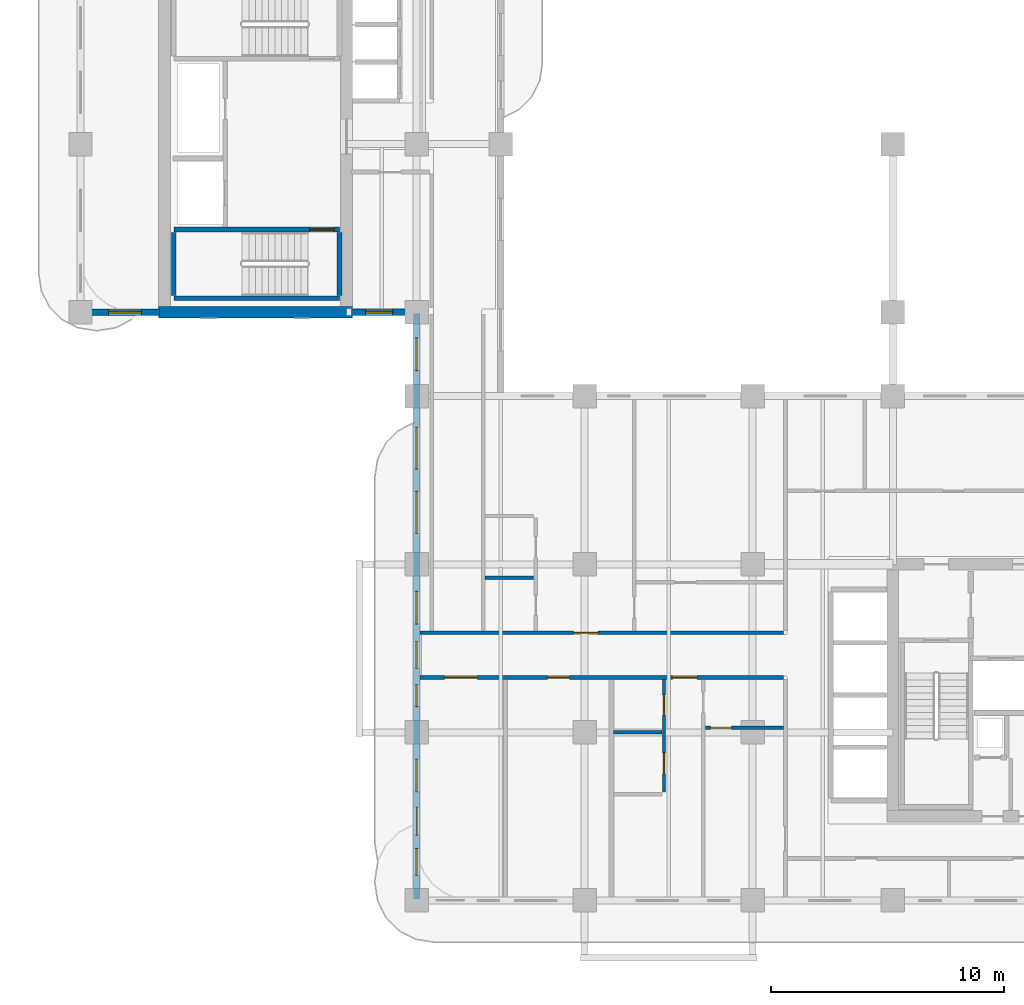
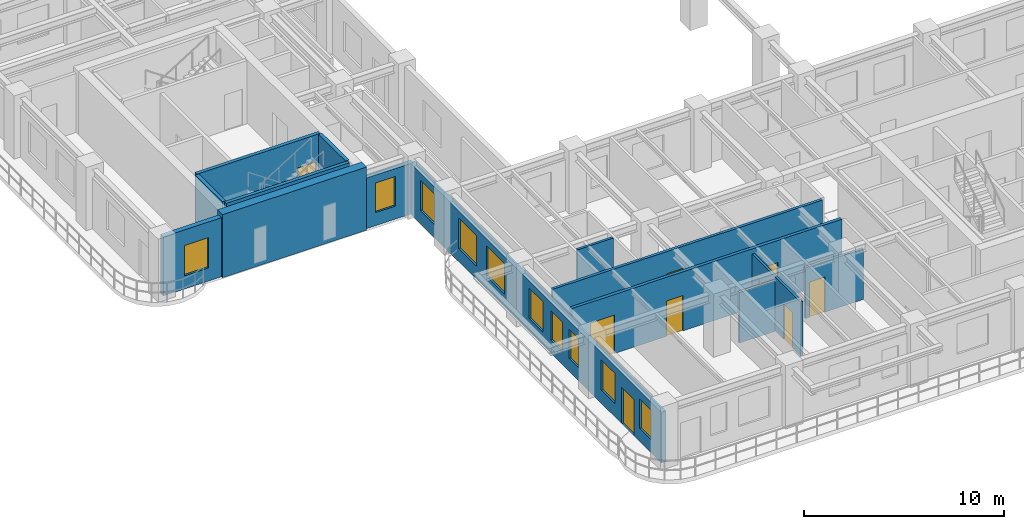
# One storey, part 4 of 14: 14 walls, 10 windows, 9 doors, 19 openings.
"""IFC4 building model written with IfcOpenShell, lengths in metres."""

import ifcopenshell
import ifcopenshell.guid

model = None  # the IFC model being written
_history = None  # IfcOwnerHistory: only IFC2X3 demands one
_inside = {}  # id of a spatial element -> (the spatial element, [elements in it])
_under = {}  # id of a project, library or spatial element -> (it, [spatial elements below it])
_declared = {}  # id of a project -> (the project, [libraries it declares])
_typed = {}  # id of a type object -> (the type object, [elements of that type])
_made_of = {}  # id of a material, layer set ... -> (it, [elements and type objects made of it])


def new_model(schema):
    """Start an empty IFC model of exactly this schema.

    Asked for "IFC4X3", IfcOpenShell would pick the latest addendum, in which some entities
    have other attributes; the version numbers below select the first issue.
    IFC2X3 requires an IfcOwnerHistory on every rooted entity: one is made here for all.
    """
    global model, _history
    if schema == "IFC4X3":
        model = ifcopenshell.file(schema_version=(4, 3, 0, 0))
    else:
        model = ifcopenshell.file(schema=schema)
    _inside.clear()
    _under.clear()
    _declared.clear()
    _typed.clear()
    _made_of.clear()
    _history = None
    if model.schema == "IFC2X3":
        org = make("IfcOrganization", Name="unknown")
        user = make(
            "IfcPersonAndOrganization",
            ThePerson=make("IfcPerson", FamilyName="unknown"),
            TheOrganization=org,
        )
        app = make(
            "IfcApplication",
            ApplicationDeveloper=org,
            Version="unknown",
            ApplicationFullName="unknown",
            ApplicationIdentifier="unknown",
        )
        _history = make(
            "IfcOwnerHistory",
            OwningUser=user,
            OwningApplication=app,
            ChangeAction="ADDED",
            CreationDate=0,
        )
    return model


def make(cls, **values):
    """One entity of the class cls with the attributes given. An attribute that is None is left unset."""
    return model.create_entity(
        cls, **{name: value for name, value in values.items() if value is not None}
    )


def rooted(cls, **values):
    """An entity with a GlobalId (a new one), such as an element, a storey or a relation."""
    return make(cls, GlobalId=ifcopenshell.guid.new(), OwnerHistory=_history, **values)


def si_unit(unit_type, name, prefix=None):
    """IfcSIUnit, for example si_unit("LENGTHUNIT", "METRE", prefix="MILLI")."""
    return make("IfcSIUnit", UnitType=unit_type, Prefix=prefix, Name=name)


def derived_unit(unit_type, elements):
    """IfcDerivedUnit: a product of units, each with its exponent."""
    return make(
        "IfcDerivedUnit",
        Elements=[
            make("IfcDerivedUnitElement", Unit=unit, Exponent=power)
            for unit, power in elements
        ],
        UnitType=unit_type,
    )


def assignment(units):
    """IfcUnitAssignment: the units of a project."""
    return None if units is None else make("IfcUnitAssignment", Units=units)


def point(xyz):
    """IfcCartesianPoint."""
    return None if xyz is None else make("IfcCartesianPoint", Coordinates=xyz)


def direction(xyz):
    """IfcDirection."""
    return None if xyz is None else make("IfcDirection", DirectionRatios=xyz)


def frame(location, z_axis=None, x_axis=None):
    """IfcAxis2Placement3D, a coordinate frame: its origin and axes. An axis left out is left unset."""
    return make(
        "IfcAxis2Placement3D",
        Location=point(location),
        Axis=direction(z_axis),
        RefDirection=direction(x_axis),
    )


def frame_2d(location, x_axis=None):
    """IfcAxis2Placement2D, a coordinate frame in the plane: its origin and x axis."""
    return make(
        "IfcAxis2Placement2D", Location=point(location), RefDirection=direction(x_axis)
    )


def origin():
    """The frame at (0, 0, 0) with its axes left unset."""
    return frame((0.0, 0.0, 0.0))


def place(relative_to, where):
    """IfcLocalPlacement: puts the frame where relative to a parent placement (None: the world)."""
    return make(
        "IfcLocalPlacement", PlacementRelTo=relative_to, RelativePlacement=where
    )


def context(
    kind, dimensions, precision=None, world=None, true_north=None, identifier=None
):
    """IfcGeometricRepresentationContext, for example the 3D "Model" context."""
    return make(
        "IfcGeometricRepresentationContext",
        ContextIdentifier=identifier,
        ContextType=kind,
        CoordinateSpaceDimension=dimensions,
        Precision=precision,
        WorldCoordinateSystem=world,
        TrueNorth=true_north,
    )


def subcontext(parent, identifier, kind, view, scale=None):
    """IfcGeometricRepresentationSubContext, for example "Body" below "Model"."""
    return make(
        "IfcGeometricRepresentationSubContext",
        ContextIdentifier=identifier,
        ContextType=kind,
        ParentContext=parent,
        TargetScale=scale,
        TargetView=view,
    )


def project(units=None, contexts=None):
    """IfcProject with its units and contexts."""
    return rooted(
        "IfcProject",
        Name="project",
        RepresentationContexts=contexts,
        UnitsInContext=assignment(units),
    )


def spatial(cls, under=None, at=None, **own):
    """A site, building, storey or space (cls), placed at a placement, below another one or the project."""
    s = rooted(cls, ObjectPlacement=at, **own)
    if under is not None:
        _under.setdefault(under.id(), (under, []))[1].append(s)
    return s


def profile(cls, at=None, kind="AREA", **sizes):
    """A parametric profile (cls). Its sizes go by their IFC names, for example OverallWidth=200.0."""
    return make(cls, ProfileType=kind, Position=at, **sizes)


def rectangle(**sizes):
    """IfcRectangleProfileDef."""
    return profile("IfcRectangleProfileDef", **sizes)


def extrude(swept, where, along, depth):
    """IfcExtrudedAreaSolid: the profile swept, set in the frame where, extruded along a direction by depth."""
    return make(
        "IfcExtrudedAreaSolid",
        SweptArea=swept,
        Position=where,
        ExtrudedDirection=direction(along),
        Depth=depth,
    )


def shape(context_of_items, identifier, shape_type, items):
    """IfcShapeRepresentation: the items that make up one representation, for example the "Body"."""
    return make(
        "IfcShapeRepresentation",
        ContextOfItems=context_of_items,
        RepresentationIdentifier=identifier,
        RepresentationType=shape_type,
        Items=items,
    )


def source(mapping_origin, context_of_items, identifier, shape_type, items):
    """IfcRepresentationMap: a shape defined once, which mapped items show again and again."""
    return make(
        "IfcRepresentationMap",
        MappingOrigin=mapping_origin,
        MappedRepresentation=shape(context_of_items, identifier, shape_type, items),
    )


def transform(
    local_origin,
    x_axis=None,
    y_axis=None,
    z_axis=None,
    scale=None,
    scale2=None,
    scale3=None,
    uniform=True,
):
    """IfcCartesianTransformationOperator3D, or its non-uniform kind. x_axis, y_axis, z_axis: its Axis1, 2, 3."""
    if uniform:
        return make(
            "IfcCartesianTransformationOperator3D",
            Axis1=direction(x_axis),
            Axis2=direction(y_axis),
            LocalOrigin=point(local_origin),
            Scale=scale,
            Axis3=direction(z_axis),
        )
    return make(
        "IfcCartesianTransformationOperator3DnonUniform",
        Axis1=direction(x_axis),
        Axis2=direction(y_axis),
        LocalOrigin=point(local_origin),
        Scale=scale,
        Axis3=direction(z_axis),
        Scale2=scale2,
        Scale3=scale3,
    )


def mapped(mapping_source, mapping_target):
    """IfcMappedItem: shows the shape of a source again, moved by a transform."""
    return make(
        "IfcMappedItem", MappingSource=mapping_source, MappingTarget=mapping_target
    )


def material(Name=None, Category=None):
    """IfcMaterial."""
    return make("IfcMaterial", Name=Name, Category=Category)


def layer(
    of_material, thickness, ventilated=None, Name=None, Category=None, Priority=None
):
    """IfcMaterialLayer: one layer of a wall or slab, of a material (None: an air gap)."""
    return make(
        "IfcMaterialLayer",
        Material=of_material,
        LayerThickness=thickness,
        IsVentilated=ventilated,
        Name=Name,
        Category=Category,
        Priority=Priority,
    )


def layer_set(layers, Name=None):
    """IfcMaterialLayerSet."""
    return make("IfcMaterialLayerSet", MaterialLayers=layers, LayerSetName=Name)


def made_of(thing, what):
    """Note that an element or type object is made of a material, layer set ...; save() writes the relation."""
    if what is not None:
        _made_of.setdefault(what.id(), (what, []))[1].append(thing)
    return thing


def type_object(cls, material=None, **own):
    """A type object (cls), such as IfcWallType, which elements share."""
    return made_of(rooted(cls, **own), material)


def type_shapes(of_type, sources):
    """Give a type object the sources (RepresentationMaps) that its elements show as mapped items."""
    of_type.RepresentationMaps = sources


def element(
    cls,
    number,
    at=None,
    inside=None,
    cuts=None,
    type_object=None,
    material=None,
    context=None,
    identifier="Body",
    shape_type=None,
    held_by="IfcProductDefinitionShape",
    body=None,
    shapes=None,
    **own,
):
    """One element of the class cls, such as IfcWall. Its Tag is "e" and its number.

    at: its placement. inside: the storey or other place that contains it. cuts: it is an
    opening in that element (IfcRelVoidsElement). A single representation is given by context,
    identifier, shape_type and body (its items); several are given by shapes. held_by: the class
    of the entity that holds the representations. save() writes the other relations.
    """
    e = rooted(cls, Tag="e%d" % number, ObjectPlacement=at, **own)
    if body is not None:
        shapes = [shape(context, identifier, shape_type, body)]
    if shapes is not None:
        e.Representation = make(held_by, Representations=shapes)
    if inside is not None:
        _inside.setdefault(inside.id(), (inside, []))[1].append(e)
    if cuts is not None:
        rooted(
            "IfcRelVoidsElement", RelatingBuildingElement=cuts, RelatedOpeningElement=e
        )
    if type_object is not None:
        _typed.setdefault(type_object.id(), (type_object, []))[1].append(e)
    return made_of(e, material)


def fill(opening, filler):
    """IfcRelFillsElement: the door or window that sits in an opening."""
    return rooted(
        "IfcRelFillsElement",
        RelatingOpeningElement=opening,
        RelatedBuildingElement=filler,
    )


def aggregate(whole, parts):
    """IfcRelAggregates: a whole, such as a stair, and the parts it consists of."""
    return rooted("IfcRelAggregates", RelatingObject=whole, RelatedObjects=parts)


def save(model, path):
    """Write the relations noted so far, then the file.

    IfcRelAggregates (storeys below a building ...), IfcRelContainedInSpatialStructure (elements
    in a storey), IfcRelDefinesByType, IfcRelAssociatesMaterial and IfcRelDeclares: one each for
    every whole, place, type object, material and project.
    """
    for whole, parts in _under.values():
        aggregate(whole, parts)
    for where, things in _inside.values():
        rooted(
            "IfcRelContainedInSpatialStructure",
            RelatedElements=things,
            RelatingStructure=where,
        )
    for kind, things in _typed.values():
        rooted("IfcRelDefinesByType", RelatedObjects=things, RelatingType=kind)
    for what, things in _made_of.values():
        rooted("IfcRelAssociatesMaterial", RelatedObjects=things, RelatingMaterial=what)
    for by, libraries in _declared.values():
        rooted("IfcRelDeclares", RelatingContext=by, RelatedDefinitions=libraries)
    model.write(path)


model = new_model("IFC4")

# Units and contexts
model_context = context("Model", 3, precision=1e-05, world=origin(), true_north=direction((0.0, 1.0)))
body_context = subcontext(model_context, "Body", "Model", "MODEL_VIEW")
ifc_project = project(units=[si_unit("LENGTHUNIT", "METRE"), si_unit("AREAUNIT", "SQUARE_METRE"), si_unit("VOLUMEUNIT", "CUBIC_METRE"), si_unit("PLANEANGLEUNIT", "RADIAN"), si_unit("MASSUNIT", "GRAM", prefix="KILO"), si_unit("THERMODYNAMICTEMPERATUREUNIT", "KELVIN"), si_unit("POWERUNIT", "WATT"), derived_unit("THERMALTRANSMITTANCEUNIT", [(si_unit("POWERUNIT", "WATT"), 1), (si_unit("AREAUNIT", "SQUARE_METRE"), -1), (si_unit("THERMODYNAMICTEMPERATUREUNIT", "KELVIN"), -1)])], contexts=[model_context])

# Site, building, storey
site_placement = place(None, origin())
site = spatial("IfcSite", under=ifc_project, at=site_placement, CompositionType="ELEMENT")
building_placement = place(site_placement, origin())
building = spatial("IfcBuilding", under=site, at=building_placement, Name="Zahravan Archway Hotel and Residences", CompositionType="ELEMENT")
storey_placement = place(building_placement, frame((0.0, 0.0, 188.800048828125)))
storey = spatial("IfcBuildingStorey", under=building, at=storey_placement, Name="L47", CompositionType="ELEMENT", Elevation=188.800048828125)

# Wall
ifc_material_1 = material(Name="Concrete C60/75", Category="concrete")
ifc_layer_1 = layer(ifc_material_1, 0.5, Name="Concrete C60/75", Category="concrete")
ifc_layer_set_1 = layer_set([ifc_layer_1], Name="Concrete C60/75")
wall_type_1 = type_object("IfcWallType", Name="CW-CORE-500", PredefinedType="SHEAR", material=ifc_layer_set_1)
wall_1_placement = place(storey_placement, frame((3.35009765625, 25.199951171875, 0.0), z_axis=(0.0, 0.0, 1.0), x_axis=(1.0, 0.0, 0.0)))
element("IfcWall", 1, at=wall_1_placement, inside=storey, type_object=wall_type_1, Name="L47 Core B Shear S Wall 500 mm", PredefinedType="SHEAR", context=body_context, shape_type="SweptSolid", body=[
    extrude(rectangle(XDim=8.2998046875, YDim=0.5, at=frame_2d((4.14990234375, 0.0))), origin(), (0.0, 0.0, 1.0), 3.849853515625),
])

# Wall, openings, door, windows
ifc_material_2 = material(Name="Honed Red-Ochre Sandstone & Insulated Block", Category="masonry")
ifc_layer_2 = layer(ifc_material_2, 0.280029296875, Name="Honed Red-Ochre Sandstone & Insulated Block", Category="masonry")
ifc_layer_set_2 = layer_set([ifc_layer_2], Name="Honed Red-Ochre Sandstone & Insulated Block")
wall_type_2 = type_object("IfcWallType", Name="EW-LOG-280", PredefinedType="SOLIDWALL", material=ifc_layer_set_2)
wall_2_placement = place(storey_placement, frame((14.39990234375, 0.050048828125, 0.0), z_axis=(0.0, 0.0, 1.0), x_axis=(0.0, 1.0, 0.0)))
wall_2 = element("IfcWall", 2, at=wall_2_placement, inside=storey, type_object=wall_type_2, Name="L47 Exterior Sandstone Wall WA-WL", PredefinedType="SOLIDWALL", context=body_context, shape_type="SweptSolid", body=[
    extrude(rectangle(XDim=25.099853515625, YDim=0.280029296875, at=frame_2d((12.5498046875, 0.0))), origin(), (0.0, 0.0, 1.0), 3.0849609375),
])
opening_1_placement = place(wall_2_placement, frame((2.75, 0.0, 0.0)))
opening_1 = element("IfcOpeningElement", 3, at=opening_1_placement, cuts=wall_2, Name="Opening ED-BL1", PredefinedType="OPENING", context=body_context, shape_type="SweptSolid", body=[
    extrude(rectangle(XDim=1.199951171875, YDim=2.199951171875, at=frame_2d((0.60009765625, 1.10009765625))), frame((0.0, 0.14990234375, 0.0), z_axis=(0.0, -1.0, 0.0), x_axis=(1.0, 0.0, 0.0)), (0.0, 0.0, 1.0), 0.300048828125),
])
opening_2_placement = place(wall_2_placement, frame((1.02490234375, 0.0, 0.800048828125)))
opening_2 = element("IfcOpeningElement", 4, at=opening_2_placement, cuts=wall_2, Name="Opening W-05", PredefinedType="OPENING", context=body_context, shape_type="SweptSolid", body=[
    extrude(rectangle(XDim=1.14990234375, YDim=1.800048828125, at=frame_2d((0.574951171875, 0.89990234375))), frame((0.0, 0.14990234375, 0.0), z_axis=(0.0, -1.0, 0.0), x_axis=(1.0, 0.0, 0.0)), (0.0, 0.0, 1.0), 0.300048828125),
])
opening_3_placement = place(wall_2_placement, frame((4.60009765625, 0.0, 0.800048828125)))
opening_3 = element("IfcOpeningElement", 5, at=opening_3_placement, cuts=wall_2, Name="Opening W-03", PredefinedType="OPENING", context=body_context, shape_type="SweptSolid", body=[
    extrude(rectangle(XDim=1.39990234375, YDim=1.85009765625, at=frame_2d((0.699951171875, 0.925048828125))), frame((0.0, 0.14990234375, 0.0), z_axis=(0.0, -1.0, 0.0), x_axis=(1.0, 0.0, 0.0)), (0.0, 0.0, 1.0), 0.300048828125),
])
opening_4_placement = place(wall_2_placement, frame((8.24609375, 0.0, 0.800048828125)))
opening_4 = element("IfcOpeningElement", 6, at=opening_4_placement, cuts=wall_2, Name="Opening W-04", PredefinedType="OPENING", context=body_context, shape_type="SweptSolid", body=[
    extrude(rectangle(XDim=0.949951171875, YDim=1.75, at=frame_2d((0.47509765625, 0.875))), frame((0.0, 0.14990234375, 0.0), z_axis=(0.0, -1.0, 0.0), x_axis=(1.0, 0.0, 0.0)), (0.0, 0.0, 1.0), 0.300048828125),
])
opening_5_placement = place(wall_2_placement, frame((9.885009765625, 0.0, 0.800048828125)))
opening_5 = element("IfcOpeningElement", 7, at=opening_5_placement, cuts=wall_2, Name="Opening W-05", PredefinedType="OPENING", context=body_context, shape_type="SweptSolid", body=[
    extrude(rectangle(XDim=1.14990234375, YDim=1.800048828125, at=frame_2d((0.574951171875, 0.89990234375))), frame((0.0, 0.14990234375, 0.0), z_axis=(0.0, -1.0, 0.0), x_axis=(1.0, 0.0, 0.0)), (0.0, 0.0, 1.0), 0.300048828125),
])
opening_6_placement = place(wall_2_placement, frame((11.7890625, 0.0, 0.800048828125)))
opening_6 = element("IfcOpeningElement", 8, at=opening_6_placement, cuts=wall_2, Name="Opening W-03", PredefinedType="OPENING", context=body_context, shape_type="SweptSolid", body=[
    extrude(rectangle(XDim=1.39990234375, YDim=1.85009765625, at=frame_2d((0.699951171875, 0.925048828125))), frame((0.0, 0.14990234375, 0.0), z_axis=(0.0, -1.0, 0.0), x_axis=(1.0, 0.0, 0.0)), (0.0, 0.0, 1.0), 0.300048828125),
])
opening_7_placement = place(wall_2_placement, frame((15.675048828125, 0.0, 0.800048828125)))
opening_7 = element("IfcOpeningElement", 9, at=opening_7_placement, cuts=wall_2, Name="Opening W-02", PredefinedType="OPENING", context=body_context, shape_type="SweptSolid", body=[
    extrude(rectangle(XDim=1.800048828125, YDim=1.85009765625, at=frame_2d((0.89990234375, 0.925048828125))), frame((0.0, 0.14990234375, 0.0), z_axis=(0.0, -1.0, 0.0), x_axis=(1.0, 0.0, 0.0)), (0.0, 0.0, 1.0), 0.300048828125),
])
opening_8_placement = place(wall_2_placement, frame((18.425048828125, 0.0, 0.800048828125)))
opening_8 = element("IfcOpeningElement", 10, at=opening_8_placement, cuts=wall_2, Name="Opening W-02", PredefinedType="OPENING", context=body_context, shape_type="SweptSolid", body=[
    extrude(rectangle(XDim=1.800048828125, YDim=1.85009765625, at=frame_2d((0.89990234375, 0.925048828125))), frame((0.0, 0.14990234375, 0.0), z_axis=(0.0, -1.0, 0.0), x_axis=(1.0, 0.0, 0.0)), (0.0, 0.0, 1.0), 0.300048828125),
])
opening_9_placement = place(wall_2_placement, frame((22.64990234375, 0.0, 0.800048828125)))
opening_9 = element("IfcOpeningElement", 11, at=opening_9_placement, cuts=wall_2, Name="Opening W-03", PredefinedType="OPENING", context=body_context, shape_type="SweptSolid", body=[
    extrude(rectangle(XDim=1.39990234375, YDim=1.85009765625, at=frame_2d((0.699951171875, 0.925048828125))), frame((0.0, 0.14990234375, 0.0), z_axis=(0.0, -1.0, 0.0), x_axis=(1.0, 0.0, 0.0)), (0.0, 0.0, 1.0), 0.300048828125),
])
ifc_material_3 = material(Name="Bronze-Anodized Glazed Aluminium", Category="aluminium")
door_type_1 = type_object("IfcDoorType", Name="ED-BALC-1200", OperationType="SLIDING_TO_LEFT", PredefinedType="DOOR", material=ifc_material_3)
shared_shape_1 = source(origin(), body_context, "Body", "SweptSolid", [
    extrude(rectangle(XDim=1.199951171875, YDim=2.199951171875, at=frame_2d((0.60009765625, 1.10009765625))), frame((0.0, 0.02490234375, 0.0), z_axis=(0.0, -1.0, 0.0), x_axis=(1.0, 0.0, 0.0)), (0.0, 0.0, 1.0), 0.050048828125),
])
type_shapes(door_type_1, [shared_shape_1])
door_1_placement = place(opening_1_placement, origin())
door_1 = element("IfcDoor", 12, at=door_1_placement, inside=storey, type_object=door_type_1, Name="L47 Outdoor Access Sliding Door (SLB-BAL-L47-WA)", OperationType="SLIDING_TO_LEFT", OverallHeight=2.199951171875, OverallWidth=1.199951171875, PredefinedType="DOOR", context=body_context, shape_type="MappedRepresentation", body=[
    mapped(shared_shape_1, transform((0.0, 0.0, 0.0), scale=1.0)),
])
fill(opening_1, door_1)
ifc_material_4 = material(Name="Bronze-Anodized Thermal-Break Aluminium & Low-E Glass", Category="aluminium")
window_type_1 = type_object("IfcWindowType", Name="WIN-TWR-1400", PartitioningType="SINGLE_PANEL", PredefinedType="WINDOW", material=ifc_material_4)
shared_shape_2 = source(origin(), body_context, "Body", "SweptSolid", [
    extrude(rectangle(XDim=1.39990234375, YDim=1.85009765625, at=frame_2d((0.699951171875, 0.925048828125))), frame((0.0, 0.030029296875, 0.0), z_axis=(0.0, -1.0, 0.0), x_axis=(1.0, 0.0, 0.0)), (0.0, 0.0, 1.0), 0.06005859375),
])
type_shapes(window_type_1, [shared_shape_2])
window_1_placement = place(opening_3_placement, origin())
window_1 = element("IfcWindow", 13, at=window_1_placement, inside=storey, type_object=window_type_1, Name="L47 Loggia Window 20", OverallHeight=1.85009765625, OverallWidth=1.39990234375, PartitioningType="SINGLE_PANEL", PredefinedType="WINDOW", context=body_context, shape_type="MappedRepresentation", body=[
    mapped(shared_shape_2, transform((0.0, 0.0, 0.0), scale=1.0)),
])
fill(opening_3, window_1)
window_2_placement = place(opening_6_placement, origin())
window_2 = element("IfcWindow", 14, at=window_2_placement, inside=storey, type_object=window_type_1, Name="L47 Loggia Window 23", OverallHeight=1.85009765625, OverallWidth=1.39990234375, PartitioningType="SINGLE_PANEL", PredefinedType="WINDOW", context=body_context, shape_type="MappedRepresentation", body=[
    mapped(shared_shape_2, transform((0.0, 0.0, 0.0), scale=1.0)),
])
fill(opening_6, window_2)
window_3_placement = place(opening_9_placement, origin())
window_3 = element("IfcWindow", 15, at=window_3_placement, inside=storey, type_object=window_type_1, Name="L47 Loggia Window 26", OverallHeight=1.85009765625, OverallWidth=1.39990234375, PartitioningType="SINGLE_PANEL", PredefinedType="WINDOW", context=body_context, shape_type="MappedRepresentation", body=[
    mapped(shared_shape_2, transform((0.0, 0.0, 0.0), scale=1.0)),
])
fill(opening_9, window_3)
window_type_2 = type_object("IfcWindowType", Name="WIN-NAR-950", PartitioningType="SINGLE_PANEL", PredefinedType="WINDOW", material=ifc_material_4)
shared_shape_3 = source(origin(), body_context, "Body", "SweptSolid", [
    extrude(rectangle(XDim=0.949951171875, YDim=1.75, at=frame_2d((0.47509765625, 0.875))), frame((0.0, 0.030029296875, 0.0), z_axis=(0.0, -1.0, 0.0), x_axis=(1.0, 0.0, 0.0)), (0.0, 0.0, 1.0), 0.06005859375),
])
type_shapes(window_type_2, [shared_shape_3])
window_4_placement = place(opening_4_placement, origin())
window_4 = element("IfcWindow", 16, at=window_4_placement, inside=storey, type_object=window_type_2, Name="L47 Loggia Window 21", OverallHeight=1.75, OverallWidth=0.949951171875, PartitioningType="SINGLE_PANEL", PredefinedType="WINDOW", context=body_context, shape_type="MappedRepresentation", body=[
    mapped(shared_shape_3, transform((0.0, 0.0, 0.0), scale=1.0)),
])
fill(opening_4, window_4)
window_type_3 = type_object("IfcWindowType", Name="WIN-TWR-1800", PartitioningType="DOUBLE_PANEL_VERTICAL", PredefinedType="WINDOW", material=ifc_material_4)
shared_shape_4 = source(origin(), body_context, "Body", "SweptSolid", [
    extrude(rectangle(XDim=1.800048828125, YDim=1.85009765625, at=frame_2d((0.89990234375, 0.925048828125))), frame((0.0, 0.030029296875, 0.0), z_axis=(0.0, -1.0, 0.0), x_axis=(1.0, 0.0, 0.0)), (0.0, 0.0, 1.0), 0.06005859375),
])
type_shapes(window_type_3, [shared_shape_4])
window_5_placement = place(opening_7_placement, origin())
window_5 = element("IfcWindow", 17, at=window_5_placement, inside=storey, type_object=window_type_3, Name="L47 Loggia Window 24", OverallHeight=1.85009765625, OverallWidth=1.800048828125, PartitioningType="DOUBLE_PANEL_VERTICAL", PredefinedType="WINDOW", context=body_context, shape_type="MappedRepresentation", body=[
    mapped(shared_shape_4, transform((0.0, 0.0, 0.0), scale=1.0)),
])
fill(opening_7, window_5)
window_6_placement = place(opening_8_placement, origin())
window_6 = element("IfcWindow", 18, at=window_6_placement, inside=storey, type_object=window_type_3, Name="L47 Loggia Window 25", OverallHeight=1.85009765625, OverallWidth=1.800048828125, PartitioningType="DOUBLE_PANEL_VERTICAL", PredefinedType="WINDOW", context=body_context, shape_type="MappedRepresentation", body=[
    mapped(shared_shape_4, transform((0.0, 0.0, 0.0), scale=1.0)),
])
fill(opening_8, window_6)
window_type_4 = type_object("IfcWindowType", Name="WIN-TWR-1150", PartitioningType="SINGLE_PANEL", PredefinedType="WINDOW", material=ifc_material_4)
shared_shape_5 = source(origin(), body_context, "Body", "SweptSolid", [
    extrude(rectangle(XDim=1.14990234375, YDim=1.800048828125, at=frame_2d((0.574951171875, 0.89990234375))), frame((0.0, 0.030029296875, 0.0), z_axis=(0.0, -1.0, 0.0), x_axis=(1.0, 0.0, 0.0)), (0.0, 0.0, 1.0), 0.06005859375),
])
type_shapes(window_type_4, [shared_shape_5])
window_7_placement = place(opening_2_placement, origin())
window_7 = element("IfcWindow", 19, at=window_7_placement, inside=storey, type_object=window_type_4, Name="L47 Loggia Window 19", OverallHeight=1.800048828125, OverallWidth=1.14990234375, PartitioningType="SINGLE_PANEL", PredefinedType="WINDOW", context=body_context, shape_type="MappedRepresentation", body=[
    mapped(shared_shape_5, transform((0.0, 0.0, 0.0), scale=1.0)),
])
fill(opening_2, window_7)
window_8_placement = place(opening_5_placement, origin())
window_8 = element("IfcWindow", 20, at=window_8_placement, inside=storey, type_object=window_type_4, Name="L47 Loggia Window 22", OverallHeight=1.800048828125, OverallWidth=1.14990234375, PartitioningType="SINGLE_PANEL", PredefinedType="WINDOW", context=body_context, shape_type="MappedRepresentation", body=[
    mapped(shared_shape_5, transform((0.0, 0.0, 0.0), scale=1.0)),
])
fill(opening_5, window_8)

# Wall, opening, window
wall_3_placement = place(storey_placement, frame((11.6201171875, 25.199951171875, 0.0), z_axis=(0.0, 0.0, 1.0), x_axis=(1.0, 0.0, 0.0)))
wall_3 = element("IfcWall", 21, at=wall_3_placement, inside=storey, type_object=wall_type_2, Name="L47 Exterior Sandstone Wall WB-SE", PredefinedType="SOLIDWALL", context=body_context, shape_type="SweptSolid", body=[
    extrude(rectangle(XDim=2.77978515625, YDim=0.280029296875, at=frame_2d((1.389892578125, 0.0))), origin(), (0.0, 0.0, 1.0), 3.0849609375),
])
opening_10_placement = place(wall_3_placement, frame((0.60009765625, 0.0, 0.800048828125)))
opening_10 = element("IfcOpeningElement", 22, at=opening_10_placement, cuts=wall_3, Name="Opening W-05", PredefinedType="OPENING", context=body_context, shape_type="SweptSolid", body=[
    extrude(rectangle(XDim=1.14990234375, YDim=1.800048828125, at=frame_2d((0.574951171875, 0.89990234375))), frame((0.0, 0.14990234375, 0.0), z_axis=(0.0, -1.0, 0.0), x_axis=(1.0, 0.0, 0.0)), (0.0, 0.0, 1.0), 0.300048828125),
])
window_9_placement = place(opening_10_placement, origin())
window_9 = element("IfcWindow", 23, at=window_9_placement, inside=storey, type_object=window_type_4, Name="L47 Loggia Window 27", OverallHeight=1.800048828125, OverallWidth=1.14990234375, PartitioningType="SINGLE_PANEL", PredefinedType="WINDOW", context=body_context, shape_type="MappedRepresentation", body=[
    mapped(shared_shape_5, transform((0.0, 0.0, 0.0), scale=1.0)),
])
fill(opening_10, window_9)

wall_4_placement = place(storey_placement, frame((0.0, 25.199951171875, 0.0), z_axis=(0.0, 0.0, 1.0), x_axis=(1.0, 0.0, 0.0)))
wall_4 = element("IfcWall", 24, at=wall_4_placement, inside=storey, type_object=wall_type_2, Name="L47 Exterior Sandstone Wall WB-SW", PredefinedType="SOLIDWALL", context=body_context, shape_type="SweptSolid", body=[
    extrude(rectangle(XDim=3.3798828125, YDim=0.280029296875, at=frame_2d((1.68994140625, 0.0))), origin(), (0.0, 0.0, 1.0), 3.599853515625),
])
opening_11_placement = place(wall_4_placement, frame((1.205078125, 0.0, 0.800048828125)))
opening_11 = element("IfcOpeningElement", 25, at=opening_11_placement, cuts=wall_4, Name="Opening W-03", PredefinedType="OPENING", context=body_context, shape_type="SweptSolid", body=[
    extrude(rectangle(XDim=1.39990234375, YDim=1.85009765625, at=frame_2d((0.699951171875, 0.925048828125))), frame((0.0, 0.14990234375, 0.0), z_axis=(0.0, -1.0, 0.0), x_axis=(1.0, 0.0, 0.0)), (0.0, 0.0, 1.0), 0.300048828125),
])
window_10_placement = place(opening_11_placement, origin())
window_10 = element("IfcWindow", 26, at=window_10_placement, inside=storey, type_object=window_type_1, Name="L47 Loggia Window 28", OverallHeight=1.85009765625, OverallWidth=1.39990234375, PartitioningType="SINGLE_PANEL", PredefinedType="WINDOW", context=body_context, shape_type="MappedRepresentation", body=[
    mapped(shared_shape_2, transform((0.0, 0.0, 0.0), scale=1.0)),
])
fill(opening_11, window_10)

# Wall, opening, door
ifc_material_5 = material(Name="Fire-Rated Gypsum & Concrete Block", Category="concrete")
ifc_layer_3 = layer(ifc_material_5, 0.159912109375, Name="Fire-Rated Gypsum & Concrete Block", Category="concrete")
ifc_layer_set_3 = layer_set([ifc_layer_3], Name="Fire-Rated Gypsum & Concrete Block")
wall_type_3 = type_object("IfcWallType", Name="PW-CORR-160", PredefinedType="PARTITIONING", material=ifc_layer_set_3)
wall_5_placement = place(storey_placement, frame((14.548095703125, 11.469970703125, 0.0), z_axis=(0.0, 0.0, 1.0), x_axis=(1.0, 0.0, 0.0)))
wall_5 = element("IfcWall", 27, at=wall_5_placement, inside=storey, type_object=wall_type_3, Name="L47 Partition WA-CN", PredefinedType="PARTITIONING", context=body_context, shape_type="SweptSolid", body=[
    extrude(rectangle(XDim=15.56201171875, YDim=0.159912109375, at=frame_2d((7.781005859375, 0.0))), origin(), (0.0, 0.0, 1.0), 3.599853515625),
])
opening_12_placement = place(wall_5_placement, frame((6.576904296875, 0.0, 0.0)))
opening_12 = element("IfcOpeningElement", 28, at=opening_12_placement, cuts=wall_5, Name="Opening D-U1", PredefinedType="OPENING", context=body_context, shape_type="SweptSolid", body=[
    extrude(rectangle(XDim=1.050048828125, YDim=2.25, at=frame_2d((0.52490234375, 1.125))), frame((0.0, 0.08984375, 0.0), z_axis=(0.0, -1.0, 0.0), x_axis=(1.0, 0.0, 0.0)), (0.0, 0.0, 1.0), 0.179931640625),
])
ifc_material_6 = material(Name="Hardwood Veneer Timber", Category="wood")
door_type_2 = type_object("IfcDoorType", Name="ID-UNIT-1050", OperationType="NOTDEFINED", PredefinedType="DOOR", material=ifc_material_6)
shared_shape_6 = source(origin(), body_context, "Body", "SweptSolid", [
    extrude(rectangle(XDim=1.050048828125, YDim=2.25, at=frame_2d((0.52490234375, 1.125))), frame((0.0, 0.02490234375, 0.0), z_axis=(0.0, -1.0, 0.0), x_axis=(1.0, 0.0, 0.0)), (0.0, 0.0, 1.0), 0.050048828125),
])
type_shapes(door_type_2, [shared_shape_6])
door_2_placement = place(opening_12_placement, origin())
door_2 = element("IfcDoor", 29, at=door_2_placement, inside=storey, type_object=door_type_2, Name="L47 Flat HN1 Entrance Door", OperationType="SINGLE_SWING_LEFT", OverallHeight=2.25, OverallWidth=1.050048828125, PredefinedType="DOOR", context=body_context, shape_type="MappedRepresentation", body=[
    mapped(shared_shape_6, transform((0.0, 0.0, 0.0), scale=1.0)),
])
fill(opening_12, door_2)

# Wall, openings, doors
ifc_layer_4 = layer(ifc_material_5, 0.179931640625, Name="Fire-Rated Gypsum & Concrete Block", Category="concrete")
ifc_layer_set_4 = layer_set([ifc_layer_4], Name="Fire-Rated Gypsum & Concrete Block")
wall_type_4 = type_object("IfcWallType", Name="PW-CORR-180", PredefinedType="PARTITIONING", material=ifc_layer_set_4)
wall_6_placement = place(storey_placement, frame((14.548095703125, 9.550048828125, 0.0), z_axis=(0.0, 0.0, 1.0), x_axis=(1.0, 0.0, 0.0)))
wall_6 = element("IfcWall", 30, at=wall_6_placement, inside=storey, type_object=wall_type_4, Name="L47 Partition WA-CS", PredefinedType="PARTITIONING", context=body_context, shape_type="SweptSolid", body=[
    extrude(rectangle(XDim=15.56201171875, YDim=0.179931640625, at=frame_2d((7.781005859375, 0.0))), origin(), (0.0, 0.0, 1.0), 3.599853515625),
])
opening_13_placement = place(wall_6_placement, frame((1.052001953125, 0.0, 0.0)))
opening_13 = element("IfcOpeningElement", 31, at=opening_13_placement, cuts=wall_6, Name="Opening D-P1", PredefinedType="OPENING", context=body_context, shape_type="SweptSolid", body=[
    extrude(rectangle(XDim=1.39990234375, YDim=2.35009765625, at=frame_2d((0.699951171875, 1.175048828125))), frame((0.0, 0.10009765625, 0.0), z_axis=(0.0, -1.0, 0.0), x_axis=(1.0, 0.0, 0.0)), (0.0, 0.0, 1.0), 0.199951171875),
])
opening_14_placement = place(wall_6_placement, frame((5.451904296875, 0.0, 0.0)))
opening_14 = element("IfcOpeningElement", 32, at=opening_14_placement, cuts=wall_6, Name="Opening D-I1", PredefinedType="OPENING", context=body_context, shape_type="SweptSolid", body=[
    extrude(rectangle(XDim=0.949951171875, YDim=2.14990234375, at=frame_2d((0.47509765625, 1.074951171875))), frame((0.0, 0.10009765625, 0.0), z_axis=(0.0, -1.0, 0.0), x_axis=(1.0, 0.0, 0.0)), (0.0, 0.0, 1.0), 0.199951171875),
])
opening_15_placement = place(wall_6_placement, frame((10.806884765625, 0.0, 0.0)))
opening_15 = element("IfcOpeningElement", 33, at=opening_15_placement, cuts=wall_6, Name="Opening D-U1", PredefinedType="OPENING", context=body_context, shape_type="SweptSolid", body=[
    extrude(rectangle(XDim=1.050048828125, YDim=2.25, at=frame_2d((0.52490234375, 1.125))), frame((0.0, 0.10009765625, 0.0), z_axis=(0.0, -1.0, 0.0), x_axis=(1.0, 0.0, 0.0)), (0.0, 0.0, 1.0), 0.199951171875),
])
door_type_3 = type_object("IfcDoorType", Name="ID-PUBLIC-1400", OperationType="DOUBLE_DOOR_SINGLE_SWING", PredefinedType="DOOR", material=ifc_material_3)
shared_shape_7 = source(origin(), body_context, "Body", "SweptSolid", [
    extrude(rectangle(XDim=1.39990234375, YDim=2.35009765625, at=frame_2d((0.699951171875, 1.175048828125))), frame((0.0, 0.02490234375, 0.0), z_axis=(0.0, -1.0, 0.0), x_axis=(1.0, 0.0, 0.0)), (0.0, 0.0, 1.0), 0.050048828125),
])
type_shapes(door_type_3, [shared_shape_7])
door_3_placement = place(opening_13_placement, origin())
door_3 = element("IfcDoor", 34, at=door_3_placement, inside=storey, type_object=door_type_3, Name="L47 Cinema Salon Door", OperationType="DOUBLE_DOOR_SINGLE_SWING", OverallHeight=2.35009765625, OverallWidth=1.39990234375, PredefinedType="DOOR", context=body_context, shape_type="MappedRepresentation", body=[
    mapped(shared_shape_7, transform((0.0, 0.0, 0.0), scale=1.0)),
])
fill(opening_13, door_3)
door_type_4 = type_object("IfcDoorType", Name="ID-INT-950", OperationType="NOTDEFINED", PredefinedType="DOOR", material=ifc_material_6)
shared_shape_8 = source(origin(), body_context, "Body", "SweptSolid", [
    extrude(rectangle(XDim=0.949951171875, YDim=2.14990234375, at=frame_2d((0.47509765625, 1.074951171875))), frame((0.0, 0.02490234375, 0.0), z_axis=(0.0, -1.0, 0.0), x_axis=(1.0, 0.0, 0.0)), (0.0, 0.0, 1.0), 0.050048828125),
])
type_shapes(door_type_4, [shared_shape_8])
door_4_placement = place(opening_14_placement, origin())
door_4 = element("IfcDoor", 35, at=door_4_placement, inside=storey, type_object=door_type_4, Name="L47 Study Office Door", OperationType="SINGLE_SWING_RIGHT", OverallHeight=2.14990234375, OverallWidth=0.949951171875, PredefinedType="DOOR", context=body_context, shape_type="MappedRepresentation", body=[
    mapped(shared_shape_8, transform((0.0, 0.0, 0.0), scale=1.0)),
])
fill(opening_14, door_4)
door_5_placement = place(opening_15_placement, origin())
door_5 = element("IfcDoor", 36, at=door_5_placement, inside=storey, type_object=door_type_2, Name="L47 Flat S1 Entrance Door", OperationType="SINGLE_SWING_LEFT", OverallHeight=2.25, OverallWidth=1.050048828125, PredefinedType="DOOR", context=body_context, shape_type="MappedRepresentation", body=[
    mapped(shared_shape_6, transform((0.0, 0.0, 0.0), scale=1.0)),
])
fill(opening_15, door_5)

# Wall, opening, door
ifc_material_7 = material(Name="Acoustic Stud Partition")
ifc_layer_5 = layer(ifc_material_7, 0.14990234375, Name="Acoustic Stud Partition")
ifc_layer_set_5 = layer_set([ifc_layer_5], Name="Acoustic Stud Partition")
wall_type_5 = type_object("IfcWallType", Name="PW-UNIT-150", PredefinedType="PARTITIONING", material=ifc_layer_set_5)
wall_7_placement = place(storey_placement, frame((26.77001953125, 7.39990234375, 0.0), z_axis=(0.0, 0.0, 1.0), x_axis=(1.0, 0.0, 0.0)))
wall_7 = element("IfcWall", 37, at=wall_7_placement, inside=storey, type_object=wall_type_5, Name="L47 Partition FL-S1-GH", PredefinedType="PARTITIONING", context=body_context, shape_type="SweptSolid", body=[
    extrude(rectangle(XDim=3.340087890625, YDim=0.14990234375, at=frame_2d((1.669921875, 0.0))), origin(), (0.0, 0.0, 1.0), 3.0849609375),
])
opening_16_placement = place(wall_7_placement, frame((0.22509765625, 0.0, 0.0)))
opening_16 = element("IfcOpeningElement", 38, at=opening_16_placement, cuts=wall_7, Name="Opening D-I2", PredefinedType="OPENING", context=body_context, shape_type="SweptSolid", body=[
    extrude(rectangle(XDim=0.89990234375, YDim=2.14990234375, at=frame_2d((0.449951171875, 1.074951171875))), frame((0.0, 0.0849609375, 0.0), z_axis=(0.0, -1.0, 0.0), x_axis=(1.0, 0.0, 0.0)), (0.0, 0.0, 1.0), 0.169921875),
])
door_type_5 = type_object("IfcDoorType", Name="ID-INT-900", OperationType="NOTDEFINED", PredefinedType="DOOR", material=ifc_material_6)
shared_shape_9 = source(origin(), body_context, "Body", "SweptSolid", [
    extrude(rectangle(XDim=0.89990234375, YDim=2.14990234375, at=frame_2d((0.449951171875, 1.074951171875))), frame((0.0, 0.02490234375, 0.0), z_axis=(0.0, -1.0, 0.0), x_axis=(1.0, 0.0, 0.0)), (0.0, 0.0, 1.0), 0.050048828125),
])
type_shapes(door_type_5, [shared_shape_9])
door_6_placement = place(opening_16_placement, origin())
door_6 = element("IfcDoor", 39, at=door_6_placement, inside=storey, type_object=door_type_5, Name="L47 Flat S1 Bedroom 1 Door", OperationType="SINGLE_SWING_LEFT", OverallHeight=2.14990234375, OverallWidth=0.89990234375, PredefinedType="DOOR", context=body_context, shape_type="MappedRepresentation", body=[
    mapped(shared_shape_9, transform((0.0, 0.0, 0.0), scale=1.0)),
])
fill(opening_16, door_6)

# Wall, openings, doors
ifc_material_8 = material(Name="Moisture-Resistant Blockwork", Category="masonry")
ifc_layer_6 = layer(ifc_material_8, 0.139892578125, Name="Moisture-Resistant Blockwork", Category="masonry")
ifc_layer_set_6 = layer_set([ifc_layer_6], Name="Moisture-Resistant Blockwork")
wall_type_6 = type_object("IfcWallType", Name="PW-WET-140", PredefinedType="PARTITIONING", material=ifc_layer_set_6)
wall_8_placement = place(storey_placement, frame((25.0, 4.639892578125, 0.0), z_axis=(0.0, 0.0, 1.0), x_axis=(0.0, 1.0, 0.0)))
wall_8 = element("IfcWall", 40, at=wall_8_placement, inside=storey, type_object=wall_type_6, Name="L47 Partition FL-S1-BV", PredefinedType="PARTITIONING", context=body_context, shape_type="SweptSolid", body=[
    extrude(rectangle(XDim=4.820068359375, YDim=0.139892578125, at=frame_2d((2.41015625, 0.0))), origin(), (0.0, 0.0, 1.0), 3.284912109375),
])
opening_17_placement = place(wall_8_placement, frame((0.784912109375, 0.0, 0.0)))
opening_17 = element("IfcOpeningElement", 41, at=opening_17_placement, cuts=wall_8, Name="Opening D-I2", PredefinedType="OPENING", context=body_context, shape_type="SweptSolid", body=[
    extrude(rectangle(XDim=0.89990234375, YDim=2.14990234375, at=frame_2d((0.449951171875, 1.074951171875))), frame((0.0, 0.080078125, 0.0), z_axis=(0.0, -1.0, 0.0), x_axis=(1.0, 0.0, 0.0)), (0.0, 0.0, 1.0), 0.159912109375),
])
opening_18_placement = place(wall_8_placement, frame((3.31005859375, 0.0, 0.0)))
opening_18 = element("IfcOpeningElement", 42, at=opening_18_placement, cuts=wall_8, Name="Opening D-B1", PredefinedType="OPENING", context=body_context, shape_type="SweptSolid", body=[
    extrude(rectangle(XDim=0.85009765625, YDim=2.10009765625, at=frame_2d((0.425048828125, 1.050048828125))), frame((0.0, 0.080078125, 0.0), z_axis=(0.0, -1.0, 0.0), x_axis=(1.0, 0.0, 0.0)), (0.0, 0.0, 1.0), 0.159912109375),
])
door_type_6 = type_object("IfcDoorType", Name="ID-BATH-850", OperationType="NOTDEFINED", PredefinedType="DOOR", material=ifc_material_6)
shared_shape_10 = source(origin(), body_context, "Body", "SweptSolid", [
    extrude(rectangle(XDim=0.85009765625, YDim=2.10009765625, at=frame_2d((0.425048828125, 1.050048828125))), frame((0.0, 0.02490234375, 0.0), z_axis=(0.0, -1.0, 0.0), x_axis=(1.0, 0.0, 0.0)), (0.0, 0.0, 1.0), 0.050048828125),
])
type_shapes(door_type_6, [shared_shape_10])
door_7_placement = place(opening_18_placement, origin())
door_7 = element("IfcDoor", 43, at=door_7_placement, inside=storey, type_object=door_type_6, Name="L47 Flat S1 Bathroom Door", OperationType="SINGLE_SWING_RIGHT", OverallHeight=2.10009765625, OverallWidth=0.85009765625, PredefinedType="DOOR", context=body_context, shape_type="MappedRepresentation", body=[
    mapped(shared_shape_10, transform((0.0, 0.0, 0.0), scale=1.0)),
])
fill(opening_18, door_7)
door_8_placement = place(opening_17_placement, origin())
door_8 = element("IfcDoor", 44, at=door_8_placement, inside=storey, type_object=door_type_5, Name="L47 Flat S1 Kitchen Door", OperationType="SINGLE_SWING_LEFT", OverallHeight=2.14990234375, OverallWidth=0.89990234375, PredefinedType="DOOR", context=body_context, shape_type="MappedRepresentation", body=[
    mapped(shared_shape_9, transform((0.0, 0.0, 0.0), scale=1.0)),
])
fill(opening_17, door_8)

# Walls
wall_9_placement = place(storey_placement, frame((22.840087890625, 7.199951171875, 0.0), z_axis=(0.0, 0.0, 1.0), x_axis=(1.0, 0.0, 0.0)))
element("IfcWall", 45, at=wall_9_placement, inside=storey, type_object=wall_type_6, Name="L47 Partition FL-S1-BM", PredefinedType="PARTITIONING", context=body_context, shape_type="SweptSolid", body=[
    extrude(rectangle(XDim=2.06982421875, YDim=0.139892578125, at=frame_2d((1.034912109375, 0.0))), origin(), (0.0, 0.0, 1.0), 3.0849609375),
])
wall_10_placement = place(storey_placement, frame((17.340087890625, 13.820068359375, 0.0), z_axis=(0.0, 0.0, 1.0), x_axis=(1.0, 0.0, 0.0)))
element("IfcWall", 46, at=wall_10_placement, inside=storey, type_object=wall_type_6, Name="L47 Partition FL-HN1-BM", PredefinedType="PARTITIONING", context=body_context, shape_type="SweptSolid", body=[
    extrude(rectangle(XDim=2.06982421875, YDim=0.139892578125, at=frame_2d((1.034912109375, 0.0))), origin(), (0.0, 0.0, 1.0), 3.599853515625),
])
ifc_material_9 = material(Name="Concrete C50/60", Category="concrete")
ifc_layer_7 = layer(ifc_material_9, 0.199951171875, Name="Concrete C50/60", Category="concrete")
ifc_layer_set_7 = layer_set([ifc_layer_7], Name="Concrete C50/60")
wall_type_7 = type_object("IfcWallType", Name="SW-STAIR-200", PredefinedType="SHEAR", material=ifc_layer_set_7)
wall_11_placement = place(storey_placement, frame((4.0, 25.800048828125, 0.0), z_axis=(0.0, 0.0, 1.0), x_axis=(1.0, 0.0, 0.0)))
element("IfcWall", 47, at=wall_11_placement, inside=storey, type_object=wall_type_7, Name="L47 Stairwell RC Wall CB-SB1S", PredefinedType="SHEAR", context=body_context, shape_type="SweptSolid", body=[
    extrude(rectangle(XDim=7.10009765625, YDim=0.199951171875, at=frame_2d((3.550048828125, 0.0))), origin(), (0.0, 0.0, 1.0), 3.849853515625),
])
for number, where, z_axis, x_axis, name in (
    (48, (4.0, 25.919921875, 0.0), (0.0, 0.0, 1.0), (0.0, 1.0, 0.0), "L47 Stairwell RC Wall CB-SB1W"),
    (49, (11.10009765625, 25.919921875, 0.0), (0.0, 0.0, 1.0), (0.0, 1.0, 0.0), "L47 Stairwell RC Wall CB-SB1E"),
):
    element("IfcWall", number, at=place(storey_placement, frame(where, z_axis=z_axis, x_axis=x_axis)), inside=storey, type_object=wall_type_7, Name=name, PredefinedType="SHEAR", context=body_context, shape_type="SweptSolid", body=[
        extrude(rectangle(XDim=2.7001953125, YDim=0.199951171875, at=frame_2d((1.35009765625, 0.0))), origin(), (0.0, 0.0, 1.0), 3.849853515625),
    ])

# Wall, opening, door
wall_12_placement = place(storey_placement, frame((4.0, 28.739990234375, 0.0), z_axis=(0.0, 0.0, 1.0), x_axis=(1.0, 0.0, 0.0)))
wall_12 = element("IfcWall", 50, at=wall_12_placement, inside=storey, type_object=wall_type_7, Name="L47 Stairwell RC Wall CB-SB1N", PredefinedType="SHEAR", context=body_context, shape_type="SweptSolid", body=[
    extrude(rectangle(XDim=7.10009765625, YDim=0.199951171875, at=frame_2d((3.550048828125, 0.0))), origin(), (0.0, 0.0, 1.0), 3.849853515625),
])
opening_19_placement = place(wall_12_placement, frame((5.81494140625, 0.0, 0.0)))
opening_19 = element("IfcOpeningElement", 51, at=opening_19_placement, cuts=wall_12, Name="Opening FD-S1", PredefinedType="OPENING", context=body_context, shape_type="SweptSolid", body=[
    extrude(rectangle(XDim=1.050048828125, YDim=2.199951171875, at=frame_2d((0.52490234375, 1.10009765625))), frame((0.0, 0.10986328125, 0.0), z_axis=(0.0, -1.0, 0.0), x_axis=(1.0, 0.0, 0.0)), (0.0, 0.0, 1.0), 0.219970703125),
])
ifc_material_10 = material(Name="Fire-Rated Painted Steel", Category="steel")
door_type_7 = type_object("IfcDoorType", Name="FD-STAIR-1100", OperationType="NOTDEFINED", PredefinedType="DOOR", material=ifc_material_10)
shared_shape_11 = source(origin(), body_context, "Body", "SweptSolid", [
    extrude(rectangle(XDim=1.050048828125, YDim=2.199951171875, at=frame_2d((0.52490234375, 1.10009765625))), frame((0.0, 0.02490234375, 0.0), z_axis=(0.0, -1.0, 0.0), x_axis=(1.0, 0.0, 0.0)), (0.0, 0.0, 1.0), 0.050048828125),
])
type_shapes(door_type_7, [shared_shape_11])
door_9_placement = place(opening_19_placement, origin())
door_9 = element("IfcDoor", 52, at=door_9_placement, inside=storey, type_object=door_type_7, Name="L47 Stair ST-B1 Door", OperationType="SINGLE_SWING_LEFT", OverallHeight=2.199951171875, OverallWidth=1.050048828125, PredefinedType="DOOR", context=body_context, shape_type="MappedRepresentation", body=[
    mapped(shared_shape_11, transform((0.0, 0.0, 0.0), scale=1.0)),
])
fill(opening_19, door_9)

save(model, "model.ifc")
